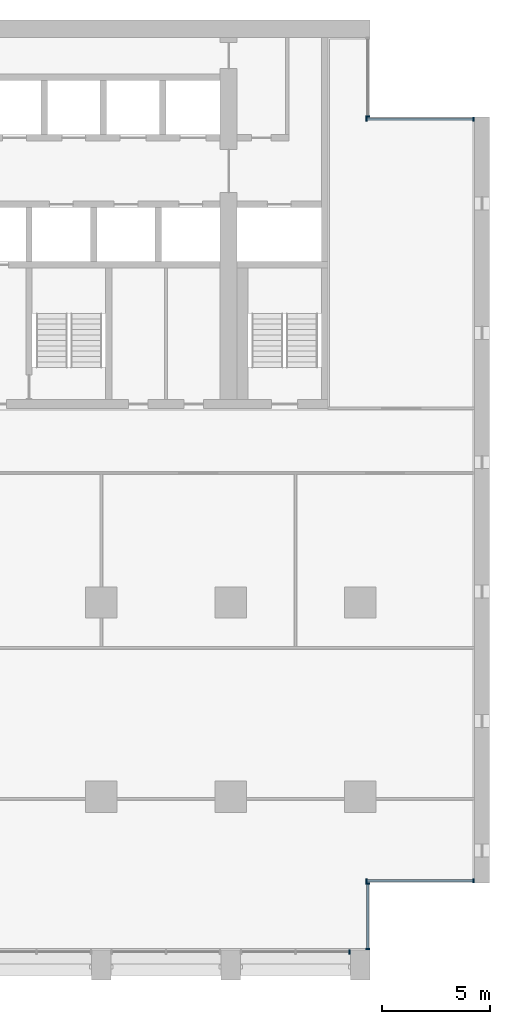
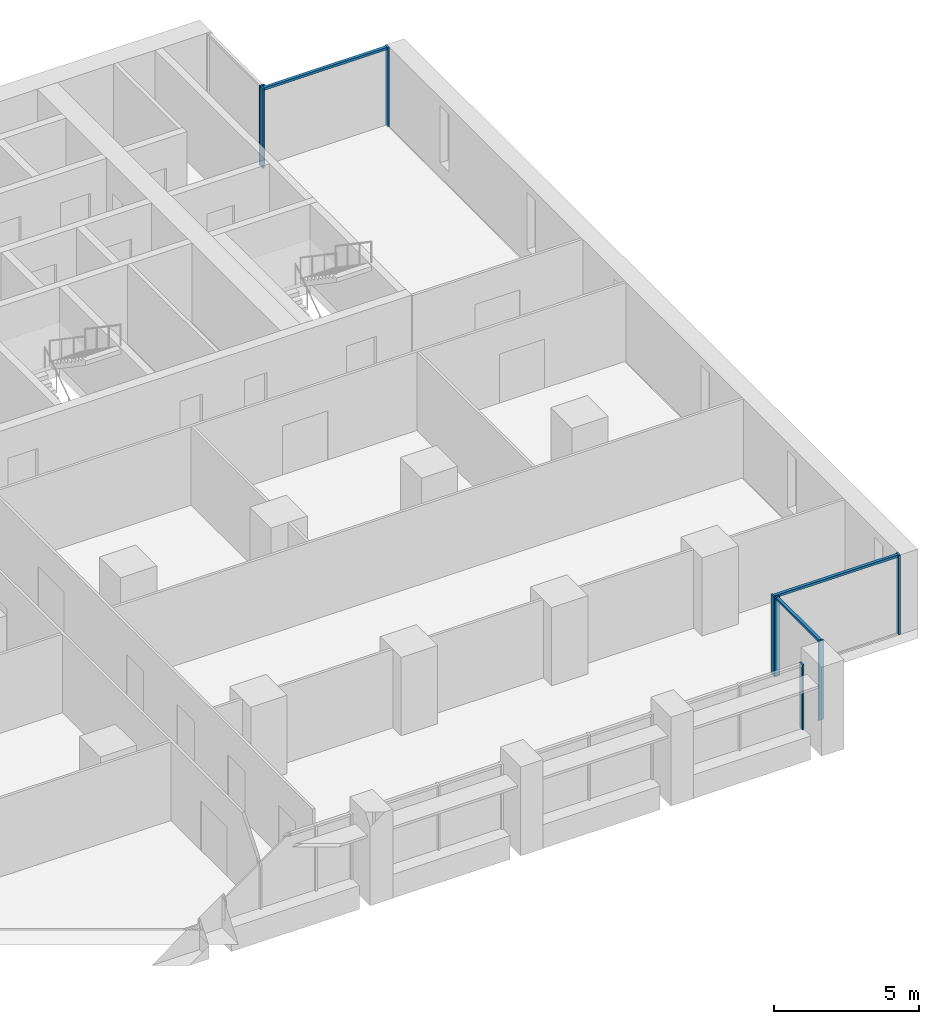
# One storey, part 5 of 17: 11 members, 5 elements without a shape of their own.
"""IFC4 building model written with IfcOpenShell, lengths in metres."""

from ifc_helpers import new_model, si_unit, direction, frame, origin, origin_2d, place, context, subcontext, project, spatial, rectangle, extrude, material, material_profile, profile_set, type_object, element, aggregate, save


model = new_model("IFC4")

# Units and contexts
model_context = context("Model", 3, precision=1e-05, world=origin(), true_north=direction((0.0, 1.0)))
body_context = subcontext(model_context, "Body", "Model", "MODEL_VIEW")
ifc_project = project(units=[si_unit("LENGTHUNIT", "METRE"), si_unit("AREAUNIT", "SQUARE_METRE"), si_unit("VOLUMEUNIT", "CUBIC_METRE"), si_unit("PLANEANGLEUNIT", "RADIAN"), si_unit("MASSUNIT", "GRAM", prefix="KILO")], contexts=[model_context])

# Site, building, storey
site_placement = place(None, origin())
site = spatial("IfcSite", under=ifc_project, at=site_placement, CompositionType="ELEMENT")
building_placement = place(site_placement, origin())
building = spatial("IfcBuilding", under=site, at=building_placement, Name="Calvaro Tower", CompositionType="ELEMENT")
storey_placement = place(building_placement, frame((0.0, 0.0, 98.75)))
storey = spatial("IfcBuildingStorey", under=building, at=storey_placement, Name="L24", CompositionType="ELEMENT", Elevation=98.75)

# Curtain wall, member
ifc_material_1 = material(Name="Anodised aluminium", Category="aluminium")
curtain_wall_type = type_object("IfcCurtainWallType", Name="Office curtain wall, middle zone", PredefinedType="NOTDEFINED", material=ifc_material_1)
curtain_wall_1_placement = place(storey_placement, origin())
curtain_wall_1 = element("IfcCurtainWall", 1, at=curtain_wall_1_placement, inside=storey, type_object=curtain_wall_type, Name="CW2 south curtain wall", PredefinedType="NOTDEFINED")
ifc_material_2 = material(Name="Anodised aluminium", Category="aluminium")
ifc_material_profile_1 = material_profile(ifc_material_2, rectangle(XDim=0.199951171875, YDim=0.070068359375, at=origin_2d()), Name="Mullion S2 70 x 200")
ifc_profile_set_1 = profile_set([ifc_material_profile_1], Name="Anodised aluminium")
member_type_1 = type_object("IfcMemberType", Name="Mullion S2 70 x 200", PredefinedType="MULLION", material=ifc_profile_set_1)
member_1_placement = place(storey_placement, frame((65.514892578125, 2.800048828125, 0.0), z_axis=(0.0, 0.0, 1.0), x_axis=(0.0, 1.0, 0.0)))
member_1 = element("IfcMember", 2, at=member_1_placement, type_object=member_type_1, Name="CW2 mullion 3", PredefinedType="MULLION", context=body_context, shape_type="SweptSolid", body=[
    extrude(rectangle(XDim=0.199951171875, YDim=0.070068359375, at=origin_2d()), origin(), (0.0, 0.0, 1.0), 2.75),
])
aggregate(curtain_wall_1, [member_1])

# Curtain wall, members
curtain_wall_2_placement = place(storey_placement, origin())
curtain_wall_2 = element("IfcCurtainWall", 3, at=curtain_wall_2_placement, inside=storey, type_object=curtain_wall_type, Name="CW2 corner curtain wall", PredefinedType="NOTDEFINED")
member_2_placement = place(storey_placement, frame((66.35009765625, 2.93505859375, 0.0), z_axis=(0.0, 0.0, 1.0), x_axis=(-1.0, 0.0, 0.0)))
member_2 = element("IfcMember", 4, at=member_2_placement, type_object=member_type_1, Name="CW2 mullion 1", PredefinedType="MULLION", context=body_context, shape_type="SweptSolid", body=[
    extrude(rectangle(XDim=0.199951171875, YDim=0.070068359375, at=origin_2d()), origin(), (0.0, 0.0, 1.0), 3.35009765625),
])
member_3_placement = place(storey_placement, frame((66.35009765625, 5.965087890625, 0.0), z_axis=(0.0, 0.0, 1.0), x_axis=(-1.0, 0.0, 0.0)))
member_3 = element("IfcMember", 5, at=member_3_placement, type_object=member_type_1, Name="CW2 mullion 2", PredefinedType="MULLION", context=body_context, shape_type="SweptSolid", body=[
    extrude(rectangle(XDim=0.199951171875, YDim=0.070068359375, at=origin_2d()), origin(), (0.0, 0.0, 1.0), 3.35009765625),
])

curtain_wall_3_placement = place(storey_placement, origin())
curtain_wall_3 = element("IfcCurtainWall", 6, at=curtain_wall_3_placement, inside=storey, type_object=curtain_wall_type, Name="CW2 corner curtain wall", PredefinedType="NOTDEFINED")
member_4_placement = place(storey_placement, frame((66.284912109375, 6.10009765625, 0.0), z_axis=(0.0, 0.0, 1.0), x_axis=(0.0, 1.0, 0.0)))
member_4 = element("IfcMember", 7, at=member_4_placement, type_object=member_type_1, Name="CW2 mullion 1", PredefinedType="MULLION", context=body_context, shape_type="SweptSolid", body=[
    extrude(rectangle(XDim=0.199951171875, YDim=0.070068359375, at=origin_2d()), origin(), (0.0, 0.0, 1.0), 3.35009765625),
])
member_5_placement = place(storey_placement, frame((71.264892578125, 6.10009765625, 0.0), z_axis=(0.0, 0.0, 1.0), x_axis=(0.0, 1.0, 0.0)))
member_5 = element("IfcMember", 8, at=member_5_placement, type_object=member_type_1, Name="CW2 mullion 2", PredefinedType="MULLION", context=body_context, shape_type="SweptSolid", body=[
    extrude(rectangle(XDim=0.199951171875, YDim=0.070068359375, at=origin_2d()), origin(), (0.0, 0.0, 1.0), 3.35009765625),
])

# Curtain wall, member
curtain_wall_4_placement = place(storey_placement, origin())
curtain_wall_4 = element("IfcCurtainWall", 9, at=curtain_wall_4_placement, inside=storey, type_object=curtain_wall_type, Name="CW2 corner curtain wall", PredefinedType="NOTDEFINED")
member_6_placement = place(storey_placement, frame((66.35009765625, 41.534912109375, 0.0), z_axis=(0.0, 0.0, 1.0), x_axis=(-1.0, 0.0, 0.0)))
member_6 = element("IfcMember", 10, at=member_6_placement, type_object=member_type_1, Name="CW2 mullion 1", PredefinedType="MULLION", context=body_context, shape_type="SweptSolid", body=[
    extrude(rectangle(XDim=0.199951171875, YDim=0.070068359375, at=origin_2d()), origin(), (0.0, 0.0, 1.0), 3.35009765625),
])
aggregate(curtain_wall_4, [member_6])

# Curtain wall, members
curtain_wall_5_placement = place(storey_placement, origin())
curtain_wall_5 = element("IfcCurtainWall", 11, at=curtain_wall_5_placement, inside=storey, type_object=curtain_wall_type, Name="CW2 corner curtain wall", PredefinedType="NOTDEFINED")
member_7_placement = place(storey_placement, frame((66.284912109375, 41.39990234375, 0.0), z_axis=(0.0, 0.0, 1.0), x_axis=(0.0, 1.0, 0.0)))
member_7 = element("IfcMember", 12, at=member_7_placement, type_object=member_type_1, Name="CW2 mullion 1", PredefinedType="MULLION", context=body_context, shape_type="SweptSolid", body=[
    extrude(rectangle(XDim=0.199951171875, YDim=0.070068359375, at=origin_2d()), origin(), (0.0, 0.0, 1.0), 3.35009765625),
])
member_8_placement = place(storey_placement, frame((71.264892578125, 41.39990234375, 0.0), z_axis=(0.0, 0.0, 1.0), x_axis=(0.0, 1.0, 0.0)))
member_8 = element("IfcMember", 13, at=member_8_placement, type_object=member_type_1, Name="CW2 mullion 2", PredefinedType="MULLION", context=body_context, shape_type="SweptSolid", body=[
    extrude(rectangle(XDim=0.199951171875, YDim=0.070068359375, at=origin_2d()), origin(), (0.0, 0.0, 1.0), 3.35009765625),
])

# Member
ifc_material_3 = material(Name="Anodised aluminium", Category="aluminium")
ifc_material_profile_2 = material_profile(ifc_material_3, rectangle(XDim=0.1201171875, YDim=0.10009765625, at=origin_2d()), Name="Transom S2 100 x 120")
ifc_profile_set_2 = profile_set([ifc_material_profile_2], Name="Anodised aluminium")
member_type_2 = type_object("IfcMemberType", Name="Transom S2 100 x 120", PredefinedType="USERDEFINED", material=ifc_profile_set_2)
member_9_placement = place(storey_placement, frame((66.35009765625, 2.969970703125, 3.300048828125), z_axis=(0.0, 1.0, 0.0), x_axis=(-1.0, 0.0, 0.0)))
member_9 = element("IfcMember", 14, at=member_9_placement, type_object=member_type_2, Name="CW2 transom 1.1", ObjectType="TRANSOM", PredefinedType="USERDEFINED", context=body_context, shape_type="SweptSolid", body=[
    extrude(rectangle(XDim=0.1201171875, YDim=0.10009765625, at=origin_2d()), origin(), (0.0, 0.0, 1.0), 2.9599609375),
])

aggregate(curtain_wall_2, [member_2, member_3, member_9])

member_10_placement = place(storey_placement, frame((66.320068359375, 6.10009765625, 3.300048828125), z_axis=(1.0, 0.0, 0.0), x_axis=(0.0, 1.0, 0.0)))
member_10 = element("IfcMember", 15, at=member_10_placement, type_object=member_type_2, Name="CW2 transom 1.1", ObjectType="TRANSOM", PredefinedType="USERDEFINED", context=body_context, shape_type="SweptSolid", body=[
    extrude(rectangle(XDim=0.1201171875, YDim=0.10009765625, at=origin_2d()), origin(), (0.0, 0.0, 1.0), 4.909912109375),
])

aggregate(curtain_wall_3, [member_4, member_5, member_10])

member_11_placement = place(storey_placement, frame((66.320068359375, 41.39990234375, 3.300048828125), z_axis=(1.0, 0.0, 0.0), x_axis=(0.0, 1.0, 0.0)))
member_11 = element("IfcMember", 16, at=member_11_placement, type_object=member_type_2, Name="CW2 transom 1.1", ObjectType="TRANSOM", PredefinedType="USERDEFINED", context=body_context, shape_type="SweptSolid", body=[
    extrude(rectangle(XDim=0.1201171875, YDim=0.10009765625, at=origin_2d()), origin(), (0.0, 0.0, 1.0), 4.909912109375),
])

aggregate(curtain_wall_5, [member_7, member_8, member_11])

save(model, "model.ifc")
